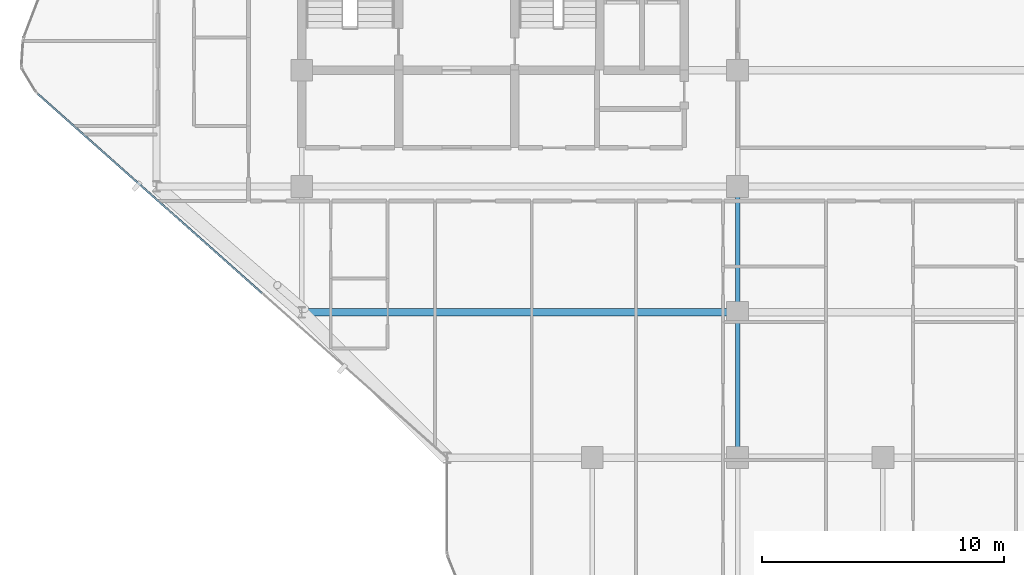
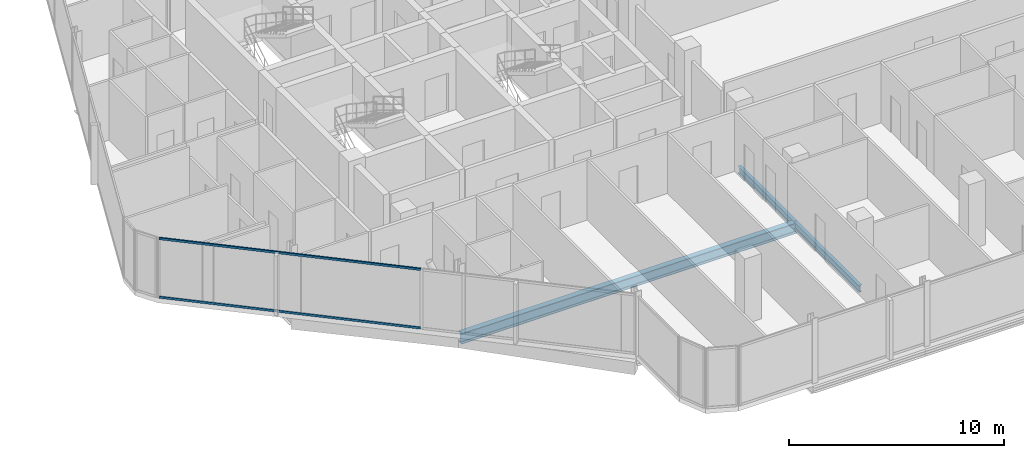
# One storey, part 7 of 29: 3 beams, 2 members, 1 element without a shape of its own.
"""IFC4 building model written with IfcOpenShell, lengths in metres."""

from ifc_helpers import new_model, si_unit, direction, frame, origin, origin_2d, place, context, subcontext, project, spatial, hollow_rectangle, i_section, extrude, material, layer, layer_set, material_profile, profile_set, type_object, element, aggregate, save


model = new_model("IFC4")

# Units and contexts
model_context = context("Model", 3, precision=1e-05, world=origin(), true_north=direction((0.0, 1.0)))
body_context = subcontext(model_context, "Body", "Model", "MODEL_VIEW")
ifc_project = project(units=[si_unit("LENGTHUNIT", "METRE"), si_unit("AREAUNIT", "SQUARE_METRE"), si_unit("VOLUMEUNIT", "CUBIC_METRE"), si_unit("PLANEANGLEUNIT", "RADIAN"), si_unit("MASSUNIT", "GRAM", prefix="KILO")], contexts=[model_context])

# Site, building, storey
site_placement = place(None, origin())
site = spatial("IfcSite", under=ifc_project, at=site_placement, CompositionType="ELEMENT")
building_placement = place(site_placement, origin())
building = spatial("IfcBuilding", under=site, at=building_placement, Name="Keshet Zoharim Tower", CompositionType="ELEMENT")
storey_placement = place(building_placement, frame((0.0, 0.0, 195.800048828125)))
storey = spatial("IfcBuildingStorey", under=building, at=storey_placement, Name="L48", CompositionType="ELEMENT", Elevation=195.800048828125)

# Beams
ifc_material_1 = material(Name="Steel S355", Category="steel")
ifc_material_profile_1 = material_profile(ifc_material_1, i_section(OverallWidth=0.300048828125, OverallDepth=0.60009765625, WebThickness=0.015380859375, FlangeThickness=0.030029296875, FilletRadius=0.027099609375, at=origin_2d()), Name="HEB600")
ifc_profile_set_1 = profile_set([ifc_material_profile_1], Name="Steel S355")
beam_type_1 = type_object("IfcBeamType", Name="BM-LNG-HB600", PredefinedType="BEAM", material=ifc_profile_set_1)
beam_1_placement = place(storey_placement, frame((15.0, 12.699951171875, -0.610107421875), z_axis=(1.0, 0.0, 0.0), x_axis=(0.0, 1.0, 0.0)))
element("IfcBeam", 1, at=beam_1_placement, inside=storey, type_object=beam_type_1, Name="L48 Primary Girder X-009", PredefinedType="BEAM", context=body_context, shape_type="SweptSolid", body=[
    extrude(i_section(OverallWidth=0.300048828125, OverallDepth=0.60009765625, WebThickness=0.015380859375, FlangeThickness=0.030029296875, FilletRadius=0.027099609375, at=origin_2d()), origin(), (0.0, 0.0, 1.0), 18.0),
])
ifc_material_profile_2 = material_profile(ifc_material_1, i_section(OverallWidth=0.179931640625, OverallDepth=0.39990234375, WebThickness=0.008544921875, FlangeThickness=0.013427734375, FilletRadius=0.02099609375, at=origin_2d()), Name="IPE400")
ifc_profile_set_2 = profile_set([ifc_material_profile_2], Name="Steel S355")
beam_type_2 = type_object("IfcBeamType", Name="BM-PRI-IP400", PredefinedType="BEAM", material=ifc_profile_set_2)
beam_2_placement = place(storey_placement, frame((33.0, 6.699951171875, -0.510009765625), z_axis=(0.0, 1.0, 0.0), x_axis=(-1.0, 0.0, 0.0)))
element("IfcBeam", 2, at=beam_2_placement, inside=storey, type_object=beam_type_2, Name="L48 Primary Girder Y-006", PredefinedType="BEAM", context=body_context, shape_type="SweptSolid", body=[
    extrude(i_section(OverallWidth=0.179931640625, OverallDepth=0.39990234375, WebThickness=0.008544921875, FlangeThickness=0.013427734375, FilletRadius=0.02099609375, at=origin_2d()), origin(), (0.0, 0.0, 1.0), 6.0),
])
beam_3_placement = place(storey_placement, frame((33.0, 12.699951171875, -0.510009765625), z_axis=(0.0, 1.0, 0.0), x_axis=(-1.0, 0.0, 0.0)))
element("IfcBeam", 3, at=beam_3_placement, inside=storey, type_object=beam_type_2, Name="L48 Primary Girder Y-007", PredefinedType="BEAM", context=body_context, shape_type="SweptSolid", body=[
    extrude(i_section(OverallWidth=0.179931640625, OverallDepth=0.39990234375, WebThickness=0.008544921875, FlangeThickness=0.013427734375, FilletRadius=0.02099609375, at=origin_2d()), origin(), (0.0, 0.0, 1.0), 5.199951171875),
])

# Curtain wall, members
ifc_material_2 = material(Name="Aluminium 6063-T6", Category="aluminium")
ifc_layer = layer(ifc_material_2, 0.139892578125)
ifc_layer_set = layer_set([ifc_layer], Name="Aluminium 6063-T6")
curtain_wall_type = type_object("IfcCurtainWallType", Name="CW-SYS-05", PredefinedType="NOTDEFINED", material=ifc_layer_set)
curtain_wall_placement = place(storey_placement, origin())
curtain_wall = element("IfcCurtainWall", 4, at=curtain_wall_placement, inside=storey, type_object=curtain_wall_type, Name="L48 Unitised Curtain Wall 10 Part 3", PredefinedType="NOTDEFINED")
ifc_material_profile_3 = material_profile(ifc_material_2, hollow_rectangle(XDim=0.074951171875, YDim=0.1201171875, WallThickness=0.00390625, at=origin_2d()), Name="TRN-75x120")
ifc_profile_set_3 = profile_set([ifc_material_profile_3], Name="Aluminium 6063-T6")
member_type = type_object("IfcMemberType", Name="CWT-T12", PredefinedType="USERDEFINED", material=ifc_profile_set_3)
member_1_placement = place(storey_placement, frame((13.3623046875, 13.489013671875, 0.034912109375), z_axis=(-0.747408233231, 0.664365059962, 0.0), x_axis=(-0.664365059962, -0.747408233231, 0.0)))
member_1 = element("IfcMember", 5, at=member_1_placement, type_object=member_type, Name="CW-05 transom 1.1", ObjectType="TRANSOM", PredefinedType="USERDEFINED", context=body_context, shape_type="SweptSolid", body=[
    extrude(hollow_rectangle(XDim=0.074951171875, YDim=0.1201171875, WallThickness=0.00390625, at=origin_2d()), origin(), (0.0, 0.0, 1.0), 12.409423828125),
])
member_2_placement = place(storey_placement, frame((13.3623046875, 13.489013671875, 3.35498046875), z_axis=(-0.747408233231, 0.664365059962, 0.0), x_axis=(-0.664365059962, -0.747408233231, 0.0)))
member_2 = element("IfcMember", 6, at=member_2_placement, type_object=member_type, Name="CW-05 transom 1.2", ObjectType="TRANSOM", PredefinedType="USERDEFINED", context=body_context, shape_type="SweptSolid", body=[
    extrude(hollow_rectangle(XDim=0.074951171875, YDim=0.1201171875, WallThickness=0.00390625, at=origin_2d()), origin(), (0.0, 0.0, 1.0), 12.409423828125),
])
aggregate(curtain_wall, [member_1, member_2])

save(model, "model.ifc")
